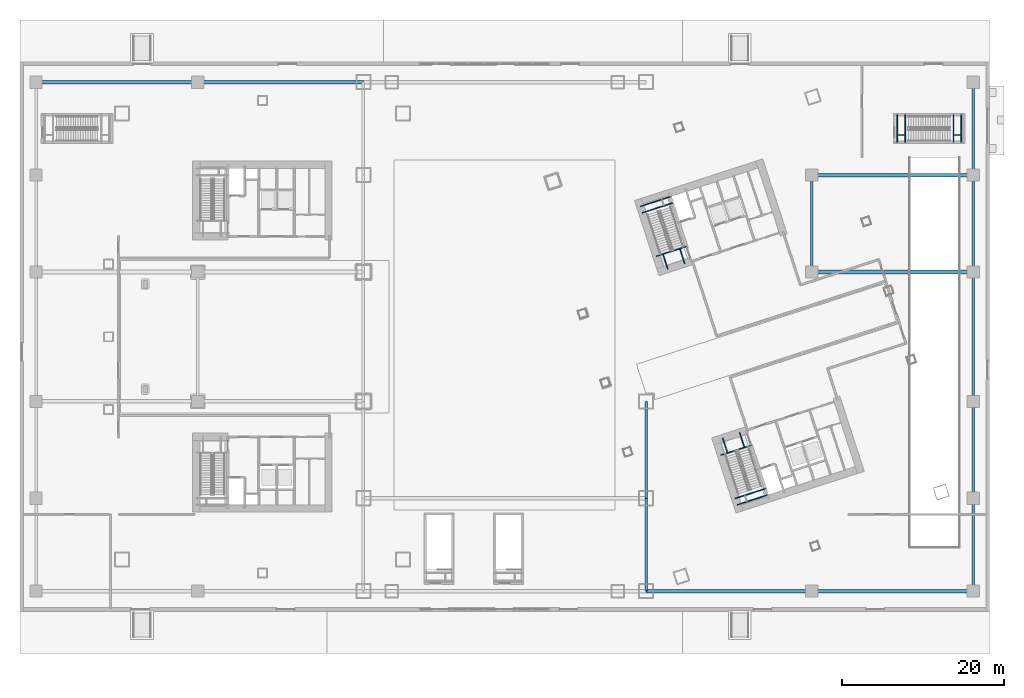
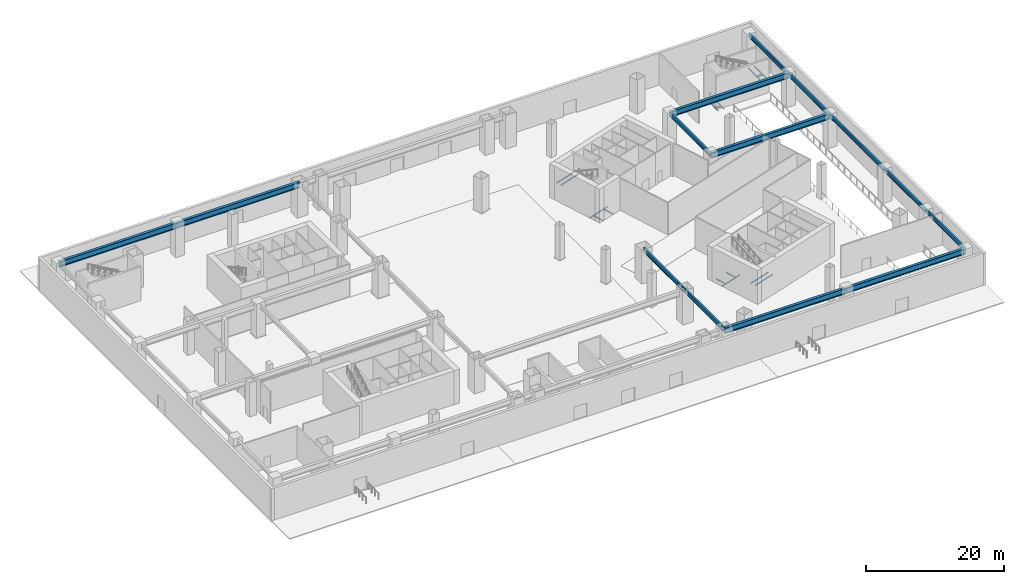
# One storey, part 7 of 31: 30 beams.
"""IFC4 building model written with IfcOpenShell, lengths in metres."""

from ifc_helpers import new_model, si_unit, direction, frame, origin, origin_2d, place, context, subcontext, project, spatial, i_section, extrude, material, material_profile, profile_set, type_object, element, save


model = new_model("IFC4")

# Units and contexts
model_context = context("Model", 3, precision=1e-05, world=origin(), true_north=direction((0.0, 1.0)))
body_context = subcontext(model_context, "Body", "Model", "MODEL_VIEW")
ifc_project = project(units=[si_unit("LENGTHUNIT", "METRE"), si_unit("AREAUNIT", "SQUARE_METRE"), si_unit("VOLUMEUNIT", "CUBIC_METRE"), si_unit("PLANEANGLEUNIT", "RADIAN"), si_unit("MASSUNIT", "GRAM", prefix="KILO")], contexts=[model_context])

# Site, building, storey
site_placement = place(None, origin())
site = spatial("IfcSite", under=ifc_project, at=site_placement, CompositionType="ELEMENT")
building_placement = place(site_placement, origin())
building = spatial("IfcBuilding", under=site, at=building_placement, Name="Qiaolan Cultural Towers", CompositionType="ELEMENT")
storey_placement = place(building_placement, origin())
storey = spatial("IfcBuildingStorey", under=building, at=storey_placement, Name="L00", CompositionType="ELEMENT", Elevation=0.0)

# Beams
ifc_material_1 = material(Name="Steel Q390GJB", Category="steel")
ifc_material_profile_1 = material_profile(ifc_material_1, i_section(OverallWidth=0.449951171875, OverallDepth=1.0, WebThickness=0.02392578125, FlangeThickness=0.0400390625, at=origin_2d()), Name="BH1000x450x24x40")
ifc_profile_set_1 = profile_set([ifc_material_profile_1], Name="Steel Q390GJB")
beam_type_1 = type_object("IfcBeamType", Name="BM-BH1000x450x24x40", PredefinedType="BEAM", material=ifc_profile_set_1)
beam_1_placement = place(storey_placement, frame((77.5, 2.5, 5.199951171875), z_axis=(1.0, 0.0, 0.0), x_axis=(0.0, 1.0, 0.0)))
element("IfcBeam", 1, at=beam_1_placement, inside=storey, type_object=beam_type_1, Name="L00 Podium Primary Girder Y=2.5", PredefinedType="BEAM", context=body_context, shape_type="SweptSolid", body=[
    extrude(i_section(OverallWidth=0.449951171875, OverallDepth=1.0, WebThickness=0.02392578125, FlangeThickness=0.0400390625, at=origin_2d()), origin(), (0.0, 0.0, 1.0), 20.5),
])
for number, where, z_axis, x_axis, name in (
    (2, (98.0, 2.5, 5.199951171875), (1.0, 0.0, 0.0), (0.0, 1.0, 0.0), "L00 Podium Primary Girder Y=2.5"),
    (3, (98.0, 42.0, 5.199951171875), (1.0, 0.0, 0.0), (0.0, 1.0, 0.0), "L00 Podium Primary Girder Y=42.0"),
    (4, (98.0, 54.0, 5.199951171875), (1.0, 0.0, 0.0), (0.0, 1.0, 0.0), "L00 Podium Primary Girder Y=54.0"),
    (5, (2.0, 65.5, 5.199951171875), (1.0, 0.0, 0.0), (0.0, 1.0, 0.0), "L00 Podium Primary Girder Y=65.5"),
):
    element("IfcBeam", number, at=place(storey_placement, frame(where, z_axis=z_axis, x_axis=x_axis)), inside=storey, type_object=beam_type_1, Name=name, PredefinedType="BEAM", context=body_context, shape_type="SweptSolid", body=[
        extrude(i_section(OverallWidth=0.449951171875, OverallDepth=1.0, WebThickness=0.02392578125, FlangeThickness=0.0400390625, at=origin_2d()), origin(), (0.0, 0.0, 1.0), 20.0),
    ])
beam_2_placement = place(storey_placement, frame((22.0, 65.5, 5.199951171875), z_axis=(1.0, 0.0, 0.0), x_axis=(0.0, 1.0, 0.0)))
element("IfcBeam", 6, at=beam_2_placement, inside=storey, type_object=beam_type_1, Name="L00 Podium Primary Girder Y=65.5", PredefinedType="BEAM", context=body_context, shape_type="SweptSolid", body=[
    extrude(i_section(OverallWidth=0.449951171875, OverallDepth=1.0, WebThickness=0.02392578125, FlangeThickness=0.0400390625, at=origin_2d()), origin(), (0.0, 0.0, 1.0), 20.5),
])
ifc_material_2 = material(Name="Steel Q355B", Category="steel")
ifc_material_profile_2 = material_profile(ifc_material_2, i_section(OverallWidth=0.300048828125, OverallDepth=0.699951171875, WebThickness=0.012939453125, FlangeThickness=0.02392578125, at=origin_2d()), Name="HN700x300x13x24")
ifc_profile_set_2 = profile_set([ifc_material_profile_2], Name="Steel Q355B")
beam_type_2 = type_object("IfcBeamType", Name="BM-HN700x300x13x24", PredefinedType="BEAM", material=ifc_profile_set_2)
beam_3_placement = place(storey_placement, frame((77.5, 2.5, 5.35009765625), z_axis=(0.0, 1.0, 0.0), x_axis=(-1.0, 0.0, 0.0)))
element("IfcBeam", 7, at=beam_3_placement, inside=storey, type_object=beam_type_2, Name="L00 Podium Transverse Beam X=77.5", PredefinedType="BEAM", context=body_context, shape_type="SweptSolid", body=[
    extrude(i_section(OverallWidth=0.300048828125, OverallDepth=0.699951171875, WebThickness=0.012939453125, FlangeThickness=0.02392578125, at=origin_2d()), origin(), (0.0, 0.0, 1.0), 11.5),
])
for number, where, z_axis, x_axis, name in (
    (8, (77.5, 14.0, 5.35009765625), (0.0, 1.0, 0.0), (-1.0, 0.0, 0.0), "L00 Podium Transverse Beam X=77.5"),
    (9, (98.0, 42.0, 5.35009765625), (0.0, 1.0, 0.0), (-1.0, 0.0, 0.0), "L00 Podium Transverse Beam X=98.0"),
):
    element("IfcBeam", number, at=place(storey_placement, frame(where, z_axis=z_axis, x_axis=x_axis)), inside=storey, type_object=beam_type_2, Name=name, PredefinedType="BEAM", context=body_context, shape_type="SweptSolid", body=[
        extrude(i_section(OverallWidth=0.300048828125, OverallDepth=0.699951171875, WebThickness=0.012939453125, FlangeThickness=0.02392578125, at=origin_2d()), origin(), (0.0, 0.0, 1.0), 12.0),
    ])
beam_4_placement = place(storey_placement, frame((118.0, 2.5, 5.35009765625), z_axis=(0.0, 1.0, 0.0), x_axis=(-1.0, 0.0, 0.0)))
element("IfcBeam", 10, at=beam_4_placement, inside=storey, type_object=beam_type_2, Name="L00 Podium Transverse Beam X=118.0", PredefinedType="BEAM", context=body_context, shape_type="SweptSolid", body=[
    extrude(i_section(OverallWidth=0.300048828125, OverallDepth=0.699951171875, WebThickness=0.012939453125, FlangeThickness=0.02392578125, at=origin_2d()), origin(), (0.0, 0.0, 1.0), 11.5),
])
beam_5_placement = place(storey_placement, frame((118.0, 14.0, 5.35009765625), z_axis=(0.0, 1.0, 0.0), x_axis=(-1.0, 0.0, 0.0)))
element("IfcBeam", 11, at=beam_5_placement, inside=storey, type_object=beam_type_2, Name="L00 Podium Transverse Beam X=118.0", PredefinedType="BEAM", context=body_context, shape_type="SweptSolid", body=[
    extrude(i_section(OverallWidth=0.300048828125, OverallDepth=0.699951171875, WebThickness=0.012939453125, FlangeThickness=0.02392578125, at=origin_2d()), origin(), (0.0, 0.0, 1.0), 12.0),
])
beam_6_placement = place(storey_placement, frame((118.0, 26.0, 5.35009765625), z_axis=(0.0, 1.0, 0.0), x_axis=(-1.0, 0.0, 0.0)))
element("IfcBeam", 12, at=beam_6_placement, inside=storey, type_object=beam_type_2, Name="L00 Podium Transverse Beam X=118.0", PredefinedType="BEAM", context=body_context, shape_type="SweptSolid", body=[
    extrude(i_section(OverallWidth=0.300048828125, OverallDepth=0.699951171875, WebThickness=0.012939453125, FlangeThickness=0.02392578125, at=origin_2d()), origin(), (0.0, 0.0, 1.0), 16.0),
])
beam_7_placement = place(storey_placement, frame((118.0, 42.0, 5.35009765625), z_axis=(0.0, 1.0, 0.0), x_axis=(-1.0, 0.0, 0.0)))
element("IfcBeam", 13, at=beam_7_placement, inside=storey, type_object=beam_type_2, Name="L00 Podium Transverse Beam X=118.0", PredefinedType="BEAM", context=body_context, shape_type="SweptSolid", body=[
    extrude(i_section(OverallWidth=0.300048828125, OverallDepth=0.699951171875, WebThickness=0.012939453125, FlangeThickness=0.02392578125, at=origin_2d()), origin(), (0.0, 0.0, 1.0), 12.0),
])
beam_8_placement = place(storey_placement, frame((118.0, 54.0, 5.35009765625), z_axis=(0.0, 1.0, 0.0), x_axis=(-1.0, 0.0, 0.0)))
element("IfcBeam", 14, at=beam_8_placement, inside=storey, type_object=beam_type_2, Name="L00 Podium Transverse Beam X=118.0", PredefinedType="BEAM", context=body_context, shape_type="SweptSolid", body=[
    extrude(i_section(OverallWidth=0.300048828125, OverallDepth=0.699951171875, WebThickness=0.012939453125, FlangeThickness=0.02392578125, at=origin_2d()), origin(), (0.0, 0.0, 1.0), 11.5),
])
ifc_material_3 = material(Name="Steel Q355B", Category="steel")
ifc_material_profile_3 = material_profile(ifc_material_3, i_section(OverallWidth=0.10009765625, OverallDepth=0.199951171875, WebThickness=0.005615234375, FlangeThickness=0.008056640625, at=origin_2d()), Name="HN200x100x5.5x8")
ifc_profile_set_3 = profile_set([ifc_material_profile_3], Name="Steel Q355B")
beam_type_3 = type_object("IfcBeamType", Name="BM-STTRIM-200", PredefinedType="BEAM", material=ifc_profile_set_3)
beam_9_placement = place(storey_placement, frame((86.770751953125, 19.3447265625, -0.4599609375), z_axis=(0.951047798727, 0.309043823005, 0.0), x_axis=(-0.309043823005, 0.951047798727, 0.0)))
element("IfcBeam", 15, at=beam_9_placement, inside=storey, type_object=beam_type_3, Name="L00 ST-E1 Floor Landing Header Beam", PredefinedType="BEAM", context=body_context, shape_type="SweptSolid", body=[
    extrude(i_section(OverallWidth=0.10009765625, OverallDepth=0.199951171875, WebThickness=0.005615234375, FlangeThickness=0.008056640625, at=origin_2d()), origin(), (0.0, 0.0, 1.0), 3.919921875),
])
for number, where, z_axis, x_axis, name in (
    (16, (86.9794921875, 21.452392578125, -0.4599609375), (0.309083226701, -0.951034993558, 0.0), (0.951034993558, 0.309083226701, 0.0), "L00 ST-E1 Floor Landing Stringer 1"),
    (17, (89.07177734375, 22.13232421875, -0.4599609375), (0.309083226701, -0.951034993558, 0.0), (0.951034993558, 0.309083226701, 0.0), "L00 ST-E1 Floor Landing Stringer 2"),
):
    element("IfcBeam", number, at=place(storey_placement, frame(where, z_axis=z_axis, x_axis=x_axis)), inside=storey, type_object=beam_type_3, Name=name, PredefinedType="BEAM", context=body_context, shape_type="SweptSolid", body=[
        extrude(i_section(OverallWidth=0.10009765625, OverallDepth=0.199951171875, WebThickness=0.005615234375, FlangeThickness=0.008056640625, at=origin_2d()), origin(), (0.0, 0.0, 1.0), 1.93994140625),
    ])
beam_10_placement = place(storey_placement, frame((88.51611328125, 13.97265625, 2.699951171875), z_axis=(0.951072048947, 0.3089691857, 0.0), x_axis=(-0.3089691857, 0.951072048947, 0.0)))
element("IfcBeam", 18, at=beam_10_placement, inside=storey, type_object=beam_type_3, Name="L00 ST-E1 Stair Landing Support Beam 1-1", PredefinedType="BEAM", context=body_context, shape_type="SweptSolid", body=[
    extrude(i_section(OverallWidth=0.10009765625, OverallDepth=0.199951171875, WebThickness=0.005615234375, FlangeThickness=0.008056640625, at=origin_2d()), origin(), (0.0, 0.0, 1.0), 3.920166015625),
])
beam_11_placement = place(storey_placement, frame((88.773193359375, 13.181884765625, 2.699951171875), z_axis=(0.951047798727, 0.309043823005, 0.0), x_axis=(-0.309043823005, 0.951047798727, 0.0)))
element("IfcBeam", 19, at=beam_11_placement, inside=storey, type_object=beam_type_3, Name="L00 ST-E1 Stair Landing Support Beam 1-2", PredefinedType="BEAM", context=body_context, shape_type="SweptSolid", body=[
    extrude(i_section(OverallWidth=0.10009765625, OverallDepth=0.199951171875, WebThickness=0.005615234375, FlangeThickness=0.008056640625, at=origin_2d()), origin(), (0.0, 0.0, 1.0), 3.919921875),
])
beam_12_placement = place(storey_placement, frame((78.773193359375, 43.958251953125, -0.4599609375), z_axis=(0.951072048947, 0.3089691857, 0.0), x_axis=(-0.3089691857, 0.951072048947, 0.0)))
element("IfcBeam", 20, at=beam_12_placement, inside=storey, type_object=beam_type_3, Name="L00 ST-E2 Floor Landing Header Beam", PredefinedType="BEAM", context=body_context, shape_type="SweptSolid", body=[
    extrude(i_section(OverallWidth=0.10009765625, OverallDepth=0.199951171875, WebThickness=0.005615234375, FlangeThickness=0.008056640625, at=origin_2d()), origin(), (0.0, 0.0, 1.0), 3.920166015625),
])
for number, where, z_axis, x_axis, name in (
    (21, (80.18115234375, 42.375732421875, -0.4599609375), (-0.308969394428, 0.951071981138, 0.0), (-0.951071981138, -0.308969394428, 0.0), "L00 ST-E2 Floor Landing Stringer 1"),
    (22, (82.2734375, 43.0556640625, -0.4599609375), (-0.308969394428, 0.951071981138, 0.0), (-0.951071981138, -0.308969394428, 0.0), "L00 ST-E2 Floor Landing Stringer 2"),
):
    element("IfcBeam", number, at=place(storey_placement, frame(where, z_axis=z_axis, x_axis=x_axis)), inside=storey, type_object=beam_type_3, Name=name, PredefinedType="BEAM", context=body_context, shape_type="SweptSolid", body=[
        extrude(i_section(OverallWidth=0.10009765625, OverallDepth=0.199951171875, WebThickness=0.005615234375, FlangeThickness=0.008056640625, at=origin_2d()), origin(), (0.0, 0.0, 1.0), 1.93994140625),
    ])
beam_13_placement = place(storey_placement, frame((77.02783203125, 49.330322265625, 2.699951171875), z_axis=(0.951047798727, 0.309043823005, 0.0), x_axis=(-0.309043823005, 0.951047798727, 0.0)))
element("IfcBeam", 23, at=beam_13_placement, inside=storey, type_object=beam_type_3, Name="L00 ST-E2 Stair Landing Support Beam 1-1", PredefinedType="BEAM", context=body_context, shape_type="SweptSolid", body=[
    extrude(i_section(OverallWidth=0.10009765625, OverallDepth=0.199951171875, WebThickness=0.005615234375, FlangeThickness=0.008056640625, at=origin_2d()), origin(), (0.0, 0.0, 1.0), 3.919921875),
])
beam_14_placement = place(storey_placement, frame((76.770751953125, 50.12109375, 2.699951171875), z_axis=(0.951072048947, 0.3089691857, 0.0), x_axis=(-0.3089691857, 0.951072048947, 0.0)))
element("IfcBeam", 24, at=beam_14_placement, inside=storey, type_object=beam_type_3, Name="L00 ST-E2 Stair Landing Support Beam 1-2", PredefinedType="BEAM", context=body_context, shape_type="SweptSolid", body=[
    extrude(i_section(OverallWidth=0.10009765625, OverallDepth=0.199951171875, WebThickness=0.005615234375, FlangeThickness=0.008056640625, at=origin_2d()), origin(), (0.0, 0.0, 1.0), 3.920166015625),
])
for number, where, z_axis, x_axis, name in (
    (25, (108.580078125, 58.050048828125, -0.4599609375), (0.0, 1.0, 0.0), (-1.0, 0.0, 0.0), "L00 ST-P2 Floor Landing Beam 1"),
    (26, (109.580078125, 58.050048828125, -0.4599609375), (0.0, 1.0, 0.0), (-1.0, 0.0, 0.0), "L00 ST-P2 Floor Landing Beam 2"),
):
    element("IfcBeam", number, at=place(storey_placement, frame(where, z_axis=z_axis, x_axis=x_axis)), inside=storey, type_object=beam_type_3, Name=name, PredefinedType="BEAM", context=body_context, shape_type="SweptSolid", body=[
        extrude(i_section(OverallWidth=0.10009765625, OverallDepth=0.199951171875, WebThickness=0.005615234375, FlangeThickness=0.008056640625, at=origin_2d()), origin(), (0.0, 0.0, 1.0), 3.39990234375),
    ])
beam_15_placement = place(storey_placement, frame((108.580078125, 58.97509765625, -0.4599609375), z_axis=(1.0, 0.0, 0.0), x_axis=(0.0, 1.0, 0.0)))
element("IfcBeam", 27, at=beam_15_placement, inside=storey, type_object=beam_type_3, Name="L00 ST-P2 Floor Landing Trimmer", PredefinedType="BEAM", context=body_context, shape_type="SweptSolid", body=[
    extrude(i_section(OverallWidth=0.10009765625, OverallDepth=0.199951171875, WebThickness=0.005615234375, FlangeThickness=0.008056640625, at=origin_2d()), origin(), (0.0, 0.0, 1.0), 1.0),
])
for number, where, z_axis, x_axis, name in (
    (28, (115.538818359375, 58.050048828125, 2.699951171875), (0.0, 1.0, 0.0), (-1.0, 0.0, 0.0), "L00 ST-P2 Stair Landing Support Beam 1-1"),
    (29, (116.52001953125, 58.050048828125, 2.699951171875), (0.0, 1.0, 0.0), (-1.0, 0.0, 0.0), "L00 ST-P2 Stair Landing Support Beam 1-2"),
):
    element("IfcBeam", number, at=place(storey_placement, frame(where, z_axis=z_axis, x_axis=x_axis)), inside=storey, type_object=beam_type_3, Name=name, PredefinedType="BEAM", context=body_context, shape_type="SweptSolid", body=[
        extrude(i_section(OverallWidth=0.10009765625, OverallDepth=0.199951171875, WebThickness=0.005615234375, FlangeThickness=0.008056640625, at=origin_2d()), origin(), (0.0, 0.0, 1.0), 3.39990234375),
    ])
beam_16_placement = place(storey_placement, frame((115.538818359375, 58.97509765625, 2.699951171875), z_axis=(1.0, 0.0, 0.0), x_axis=(0.0, 1.0, 0.0)))
element("IfcBeam", 30, at=beam_16_placement, inside=storey, type_object=beam_type_3, Name="L00 ST-P2 Stair Landing Trimmer 1", PredefinedType="BEAM", context=body_context, shape_type="SweptSolid", body=[
    extrude(i_section(OverallWidth=0.10009765625, OverallDepth=0.199951171875, WebThickness=0.005615234375, FlangeThickness=0.008056640625, at=origin_2d()), origin(), (0.0, 0.0, 1.0), 0.981201171875),
])

save(model, "model.ifc")
